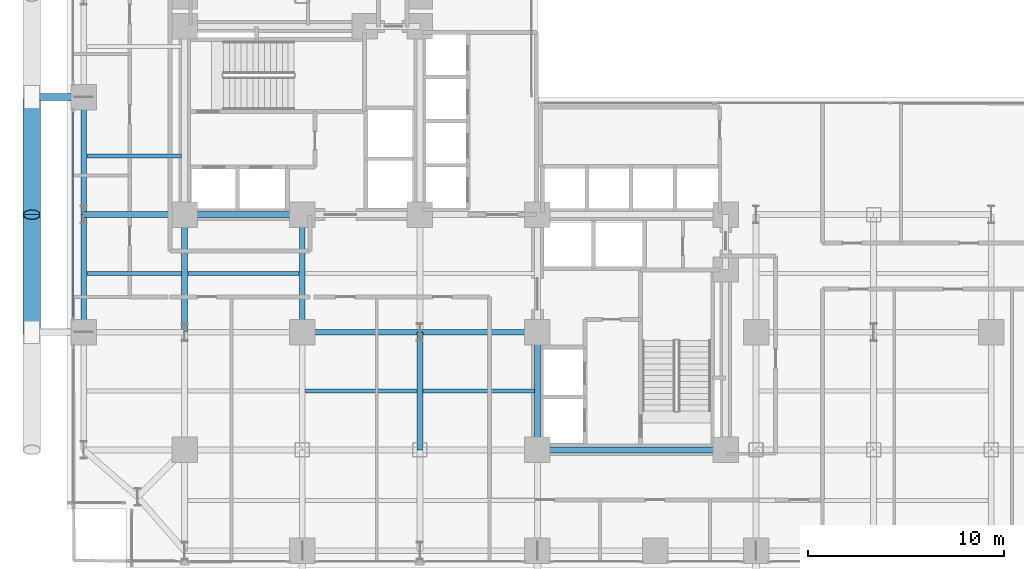
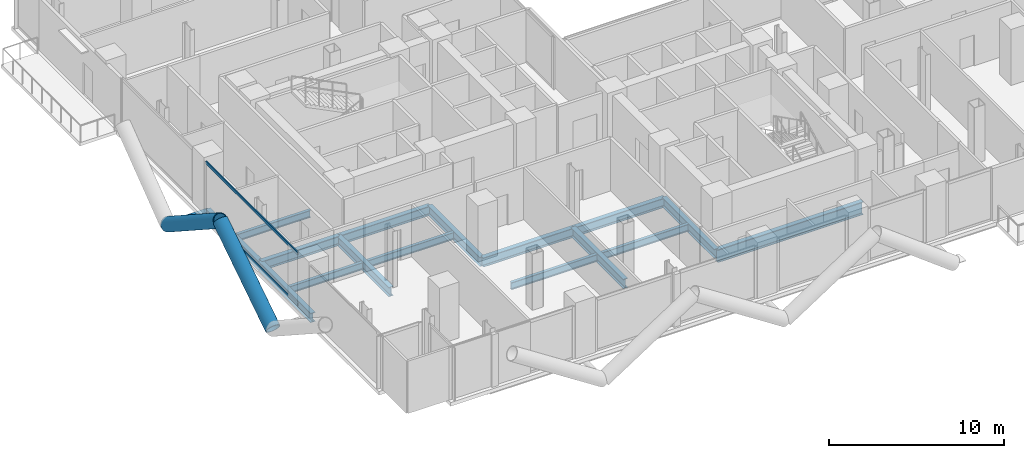
# One storey, part 4 of 27: 16 beams, 5 members, 1 element without a shape of its own.
"""IFC4 building model written with IfcOpenShell, lengths in metres."""

from ifc_helpers import new_model, si_unit, direction, frame, origin, origin_2d, place, context, subcontext, project, spatial, hollow_rectangle, hollow_circle, i_section, extrude, material, layer, layer_set, material_profile, profile_set, type_object, element, aggregate, save


model = new_model("IFC4")

# Units and contexts
model_context = context("Model", 3, precision=1e-05, world=origin(), true_north=direction((0.0, 1.0)))
body_context = subcontext(model_context, "Body", "Model", "MODEL_VIEW")
ifc_project = project(units=[si_unit("LENGTHUNIT", "METRE"), si_unit("AREAUNIT", "SQUARE_METRE"), si_unit("VOLUMEUNIT", "CUBIC_METRE"), si_unit("PLANEANGLEUNIT", "RADIAN"), si_unit("MASSUNIT", "GRAM", prefix="KILO"), si_unit("THERMODYNAMICTEMPERATUREUNIT", "KELVIN"), si_unit("POWERUNIT", "WATT")], contexts=[model_context])

# Site, building, storey
site_placement = place(None, origin())
site = spatial("IfcSite", under=ifc_project, at=site_placement, CompositionType="ELEMENT")
building_placement = place(site_placement, origin())
building = spatial("IfcBuilding", under=site, at=building_placement, Name="Svarakhadi Broadcast Tower", CompositionType="ELEMENT")
storey_placement = place(building_placement, frame((0.0, 0.0, 59.699951171875)))
storey = spatial("IfcBuildingStorey", under=building, at=storey_placement, Name="L13", CompositionType="ELEMENT", Elevation=59.699951171875)

# Beams
ifc_material_1 = material(Name="Steel S355J2 (IS 2062 E350C)", Category="steel")
ifc_material_profile_1 = material_profile(ifc_material_1, i_section(OverallWidth=0.199951171875, OverallDepth=0.5, WebThickness=0.01025390625, FlangeThickness=0.01611328125, FilletRadius=0.02099609375, at=origin_2d()), Name="NPB 500x200x91")
ifc_profile_set_1 = profile_set([ifc_material_profile_1], Name="Steel S355J2 (IS 2062 E350C)")
beam_type_1 = type_object("IfcBeamType", Name="Beam_NPB500", PredefinedType="BEAM", material=ifc_profile_set_1)
for number, where, z_axis, x_axis, name in (
    (1, (1.010009765625, 15.0, -0.5), (1.0, 0.0, 0.0), (0.0, 1.0, 0.0), "L13 Secondary Composite Beam SB002"),
    (2, (1.010009765625, 21.0, -0.5), (1.0, 0.0, 0.0), (0.0, 1.0, 0.0), "L13 Secondary Composite Beam SB003"),
):
    element("IfcBeam", number, at=place(storey_placement, frame(where, z_axis=z_axis, x_axis=x_axis)), inside=storey, type_object=beam_type_1, Name=name, PredefinedType="BEAM", context=body_context, shape_type="SweptSolid", body=[
        extrude(i_section(OverallWidth=0.199951171875, OverallDepth=0.5, WebThickness=0.01025390625, FlangeThickness=0.01611328125, FilletRadius=0.02099609375, at=origin_2d()), origin(), (0.0, 0.0, 1.0), 4.830078125),
    ])
for number, where, z_axis, x_axis, name in (
    (3, (6.159912109375, 15.0, -0.5), (1.0, 0.0, 0.0), (0.0, 1.0, 0.0), "L13 Secondary Composite Beam SB009"),
    (4, (12.159912109375, 9.0, -0.5), (1.0, 0.0, 0.0), (0.0, 1.0, 0.0), "L13 Secondary Composite Beam SB014"),
    (5, (18.159912109375, 9.0, -0.5), (1.0, 0.0, 0.0), (0.0, 1.0, 0.0), "L13 Secondary Composite Beam SB020"),
):
    element("IfcBeam", number, at=place(storey_placement, frame(where, z_axis=z_axis, x_axis=x_axis)), inside=storey, type_object=beam_type_1, Name=name, PredefinedType="BEAM", context=body_context, shape_type="SweptSolid", body=[
        extrude(i_section(OverallWidth=0.199951171875, OverallDepth=0.5, WebThickness=0.01025390625, FlangeThickness=0.01611328125, FilletRadius=0.02099609375, at=origin_2d()), origin(), (0.0, 0.0, 1.0), 5.68017578125),
    ])

# Curtain wall, members
ifc_material_2 = material(Name="Anodised Bronze Aluminium AA 6063-T6", Category="aluminium")
ifc_layer = layer(ifc_material_2, 0.219970703125)
ifc_layer_set = layer_set([ifc_layer], Name="Anodised Bronze Aluminium AA 6063-T6")
curtain_wall_type = type_object("IfcCurtainWallType", Name="CW_Sys_02", PredefinedType="NOTDEFINED", material=ifc_layer_set)
curtain_wall_placement = place(storey_placement, origin())
curtain_wall = element("IfcCurtainWall", 6, at=curtain_wall_placement, inside=storey, type_object=curtain_wall_type, Name="L13 West Curtain Wall 02 Bay 2", PredefinedType="NOTDEFINED")
ifc_material_profile_2 = material_profile(ifc_material_2, hollow_rectangle(XDim=0.074951171875, YDim=0.199951171875, WallThickness=0.0048828125, at=origin_2d()), Name="ALU TRANSOM 200x75x5")
ifc_profile_set_2 = profile_set([ifc_material_profile_2], Name="Anodised Bronze Aluminium AA 6063-T6")
member_type_1 = type_object("IfcMemberType", Name="CW_Sys_02_Trn", PredefinedType="USERDEFINED", material=ifc_profile_set_2)
member_1_placement = place(storey_placement, frame((0.300048828125, 12.7548828125, 0.03759765625), z_axis=(0.0, 1.0, 0.0), x_axis=(-1.0, 0.0, 0.0)))
member_1 = element("IfcMember", 7, at=member_1_placement, type_object=member_type_1, Name="CW-02 transom 1.1", ObjectType="TRANSOM", PredefinedType="USERDEFINED", context=body_context, shape_type="SweptSolid", body=[
    extrude(hollow_rectangle(XDim=0.074951171875, YDim=0.199951171875, WallThickness=0.0048828125, at=origin_2d()), origin(), (0.0, 0.0, 1.0), 10.490234375),
])
member_2_placement = place(storey_placement, frame((0.300048828125, 12.7548828125, 3.612548828125), z_axis=(0.0, 1.0, 0.0), x_axis=(-1.0, 0.0, 0.0)))
member_2 = element("IfcMember", 8, at=member_2_placement, type_object=member_type_1, Name="CW-02 transom 1.2", ObjectType="TRANSOM", PredefinedType="USERDEFINED", context=body_context, shape_type="SweptSolid", body=[
    extrude(hollow_rectangle(XDim=0.074951171875, YDim=0.199951171875, WallThickness=0.0048828125, at=origin_2d()), origin(), (0.0, 0.0, 1.0), 10.490234375),
])
aggregate(curtain_wall, [member_1, member_2])

# Members
ifc_material_3 = material(Name="Steel S460ML (IS 2062 E450BR)", Category="steel")
ifc_material_profile_3 = material_profile(ifc_material_3, hollow_circle(Radius=0.45703125, WallThickness=0.044921875, at=origin_2d()), Name="CHS 914x45")
ifc_profile_set_3 = profile_set([ifc_material_profile_3], Name="Steel S460ML (IS 2062 E450BR)")
member_type_2 = type_object("IfcMemberType", Name="Exo_Brace_CHS914", PredefinedType="BRACE", material=ifc_profile_set_3)
for number, where, z_axis, x_axis, name in (
    (9, (-1.800048828125, 12.0, -0.427734375), (0.0, 0.838449851971, 0.544978757136), (-1.0, 0.0, 0.0), "L13 Exposed Bronze Exoskeleton Diagonal W07"),
    (10, (-1.800048828125, 24.0, -0.427734375), (0.0, -0.838449851971, 0.544978757136), (1.0, 0.0, 0.0), "L13 Exposed Bronze Exoskeleton Diagonal W08"),
):
    element("IfcMember", number, at=place(storey_placement, frame(where, z_axis=z_axis, x_axis=x_axis)), inside=storey, type_object=member_type_2, Name=name, PredefinedType="BRACE", context=body_context, shape_type="SweptSolid", body=[
        extrude(hollow_circle(Radius=0.45703125, WallThickness=0.044921875, at=origin_2d()), origin(), (0.0, 0.0, 1.0), 7.156005859375),
    ])
ifc_material_profile_4 = material_profile(ifc_material_3, hollow_circle(Radius=0.177734375, WallThickness=0.02001953125, at=origin_2d()), Name="CHS 355.6x20")
ifc_profile_set_4 = profile_set([ifc_material_profile_4], Name="Steel S460ML (IS 2062 E450BR)")
member_type_3 = type_object("IfcMemberType", Name="Exo_Radial_Strut_Z1", PredefinedType="STRUT", material=ifc_profile_set_4)
member_3_placement = place(storey_placement, frame((-1.800048828125, 24.0, -0.427734375), z_axis=(1.0, 0.0, 0.0), x_axis=(0.0, 1.0, 0.0)))
element("IfcMember", 11, at=member_3_placement, inside=storey, type_object=member_type_3, Name="L13 Exoskeleton Radial Tie Strut W05", PredefinedType="STRUT", context=body_context, shape_type="SweptSolid", body=[
    extrude(hollow_circle(Radius=0.177734375, WallThickness=0.02001953125, at=origin_2d()), origin(), (0.0, 0.0, 1.0), 2.650146484375),
])

# Beams
ifc_material_profile_5 = material_profile(ifc_material_1, i_section(OverallWidth=0.300048828125, OverallDepth=0.64990234375, WebThickness=0.01611328125, FlangeThickness=0.031005859375, FilletRadius=0.027099609375, at=origin_2d()), Name="WPB 650x300x225")
ifc_profile_set_5 = profile_set([ifc_material_profile_5], Name="Steel S355J2 (IS 2062 E350C)")
beam_type_2 = type_object("IfcBeamType", Name="Girder_WPB650", PredefinedType="USERDEFINED", material=ifc_profile_set_5)
for number, where, z_axis, x_axis, name in (
    (12, (12.0, 12.0, -0.574951171875), (1.0, 0.0, 0.0), (0.0, 1.0, 0.0), "L13 Primary E-W Girder G021"),
    (13, (18.0, 12.0, -0.574951171875), (1.0, 0.0, 0.0), (0.0, 1.0, 0.0), "L13 Primary E-W Girder G022"),
):
    element("IfcBeam", number, at=place(storey_placement, frame(where, z_axis=z_axis, x_axis=x_axis)), inside=storey, type_object=beam_type_2, Name=name, ObjectType="GIRDER", PredefinedType="USERDEFINED", context=body_context, shape_type="SweptSolid", body=[
        extrude(i_section(OverallWidth=0.300048828125, OverallDepth=0.64990234375, WebThickness=0.01611328125, FlangeThickness=0.031005859375, FilletRadius=0.027099609375, at=origin_2d()), origin(), (0.0, 0.0, 1.0), 6.0),
    ])
beam_1_placement = place(storey_placement, frame((0.85009765625, 18.0, -0.574951171875), z_axis=(1.0, 0.0, 0.0), x_axis=(0.0, 1.0, 0.0)))
element("IfcBeam", 14, at=beam_1_placement, inside=storey, type_object=beam_type_2, Name="L13 Primary E-W Girder G025", ObjectType="GIRDER", PredefinedType="USERDEFINED", context=body_context, shape_type="SweptSolid", body=[
    extrude(i_section(OverallWidth=0.300048828125, OverallDepth=0.64990234375, WebThickness=0.01611328125, FlangeThickness=0.031005859375, FilletRadius=0.027099609375, at=origin_2d()), origin(), (0.0, 0.0, 1.0), 5.14990234375),
])
for number, where, z_axis, x_axis, name in (
    (15, (6.0, 18.0, -0.574951171875), (1.0, 0.0, 0.0), (0.0, 1.0, 0.0), "L13 Primary E-W Girder G026"),
    (16, (0.85009765625, 12.0, -0.574951171875), (0.0, 1.0, 0.0), (-1.0, 0.0, 0.0), "L13 Primary N-S Girder G046"),
    (17, (0.85009765625, 18.0, -0.574951171875), (0.0, 1.0, 0.0), (-1.0, 0.0, 0.0), "L13 Primary N-S Girder G047"),
    (18, (6.0, 12.0, -0.574951171875), (0.0, 1.0, 0.0), (-1.0, 0.0, 0.0), "L13 Primary N-S Girder G053"),
    (19, (12.0, 12.0, -0.574951171875), (0.0, 1.0, 0.0), (-1.0, 0.0, 0.0), "L13 Primary N-S Girder G060"),
    (20, (18.0, 6.0, -0.574951171875), (0.0, 1.0, 0.0), (-1.0, 0.0, 0.0), "L13 Primary N-S Girder G065"),
    (21, (24.0, 6.0, -0.574951171875), (0.0, 1.0, 0.0), (-1.0, 0.0, 0.0), "L13 Primary N-S Girder G072"),
):
    element("IfcBeam", number, at=place(storey_placement, frame(where, z_axis=z_axis, x_axis=x_axis)), inside=storey, type_object=beam_type_2, Name=name, ObjectType="GIRDER", PredefinedType="USERDEFINED", context=body_context, shape_type="SweptSolid", body=[
        extrude(i_section(OverallWidth=0.300048828125, OverallDepth=0.64990234375, WebThickness=0.01611328125, FlangeThickness=0.031005859375, FilletRadius=0.027099609375, at=origin_2d()), origin(), (0.0, 0.0, 1.0), 6.0),
    ])
ifc_material_profile_6 = material_profile(ifc_material_3, i_section(OverallWidth=0.300048828125, OverallDepth=0.89990234375, WebThickness=0.0185546875, FlangeThickness=0.034912109375, FilletRadius=0.030029296875, at=origin_2d()), Name="WPB 900x300x291")
ifc_profile_set_6 = profile_set([ifc_material_profile_6], Name="Steel S460ML (IS 2062 E450BR)")
beam_type_3 = type_object("IfcBeamType", Name="Girder_WPB900", PredefinedType="USERDEFINED", material=ifc_profile_set_6)
beam_2_placement = place(storey_placement, frame((24.0, 6.0, -0.699951171875), z_axis=(1.0, 0.0, 0.0), x_axis=(0.0, 1.0, 0.0)))
element("IfcBeam", 22, at=beam_2_placement, inside=storey, type_object=beam_type_3, Name="L13 Primary E-W Girder G015", ObjectType="GIRDER", PredefinedType="USERDEFINED", context=body_context, shape_type="SweptSolid", body=[
    extrude(i_section(OverallWidth=0.300048828125, OverallDepth=0.89990234375, WebThickness=0.0185546875, FlangeThickness=0.034912109375, FilletRadius=0.030029296875, at=origin_2d()), origin(), (0.0, 0.0, 1.0), 9.60009765625),
])

save(model, "model.ifc")
